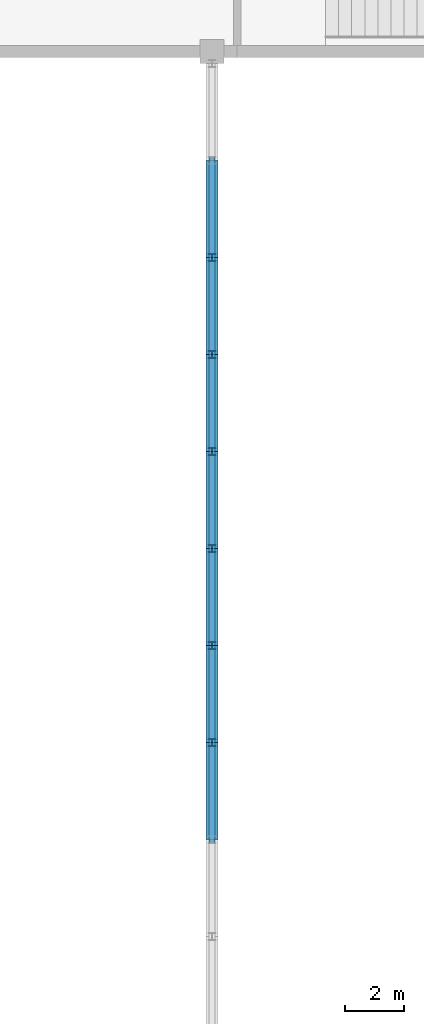
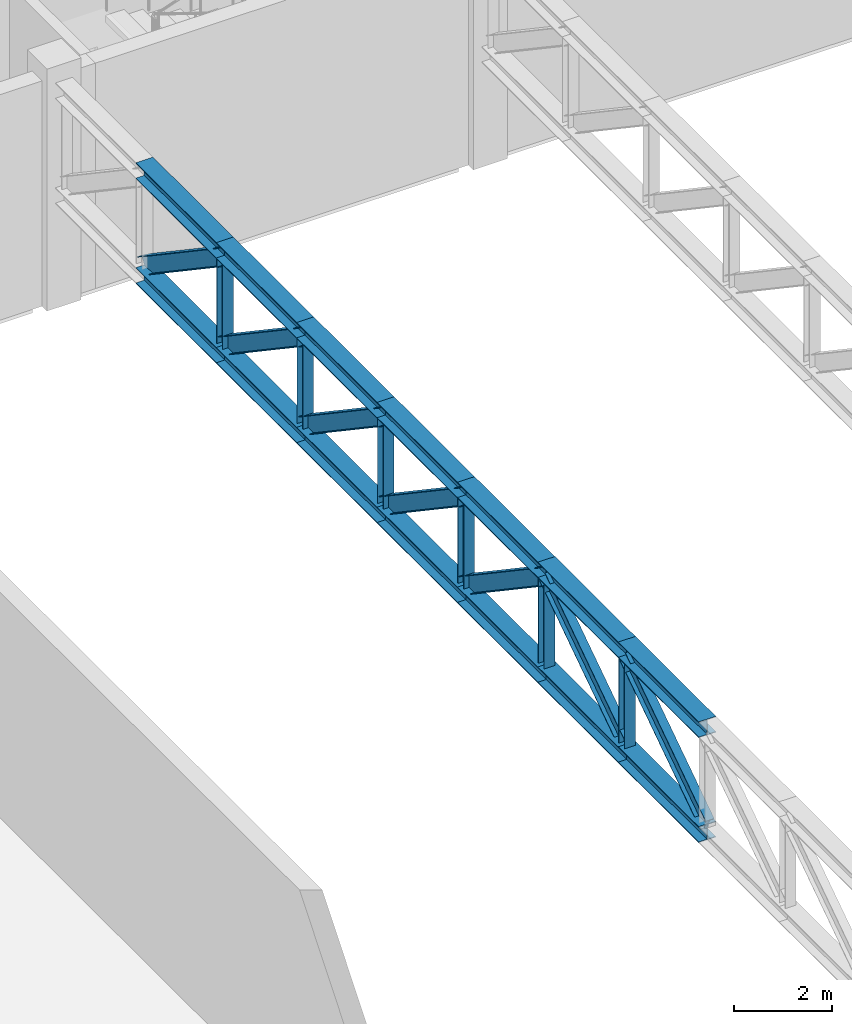
# One storey, part 18 of 51: 27 members.
"""IFC4 building model written with IfcOpenShell, lengths in metres."""

from ifc_helpers import new_model, si_unit, direction, frame, origin, origin_2d, place, context, subcontext, project, spatial, i_section, extrude, material, material_profile, profile_set, type_object, element, save


model = new_model("IFC4")

# Units and contexts
model_context = context("Model", 3, precision=1e-05, world=origin(), true_north=direction((0.0, 1.0)))
body_context = subcontext(model_context, "Body", "Model", "MODEL_VIEW")
ifc_project = project(units=[si_unit("LENGTHUNIT", "METRE"), si_unit("AREAUNIT", "SQUARE_METRE"), si_unit("VOLUMEUNIT", "CUBIC_METRE"), si_unit("PLANEANGLEUNIT", "RADIAN"), si_unit("MASSUNIT", "GRAM", prefix="KILO")], contexts=[model_context])

# Site, building, storey
site_placement = place(None, origin())
site = spatial("IfcSite", under=ifc_project, at=site_placement, CompositionType="ELEMENT")
building_placement = place(site_placement, origin())
building = spatial("IfcBuilding", under=site, at=building_placement, Name="Jabali Bay Hotel Tower and Convention Centre", CompositionType="ELEMENT")
storey_placement = place(building_placement, frame((0.0, 0.0, 9.0)))
storey = spatial("IfcBuildingStorey", under=building, at=storey_placement, Name="L01", CompositionType="ELEMENT", Elevation=9.0)

# Members
ifc_material = material(Name="Steel Q355B", Category="steel")
ifc_material_profile_1 = material_profile(ifc_material, i_section(OverallWidth=0.39990234375, OverallDepth=0.39990234375, WebThickness=0.012939453125, FlangeThickness=0.02099609375, at=origin_2d()), Name="HW400x400x13x21")
ifc_profile_set_1 = profile_set([ifc_material_profile_1], Name="Steel Q355B")
member_type_1 = type_object("IfcMemberType", Name="CC Floor Truss Chord HW400x400x13x21", PredefinedType="CHORD", material=ifc_profile_set_1)
for number, where, z_axis, x_axis, name in (
    (1, (180.699951171875, 73.466552734375, 5.389892578125), (0.0, 1.0, 0.0), (-1.0, 0.0, 0.0), "CC floor truss F1 top chord 5"),
    (2, (180.699951171875, 73.466552734375, 2.7900390625), (0.0, 1.0, 0.0), (-1.0, 0.0, 0.0), "CC floor truss F1 bottom chord 5"),
):
    element("IfcMember", number, at=place(storey_placement, frame(where, z_axis=z_axis, x_axis=x_axis)), inside=storey, type_object=member_type_1, Name=name, PredefinedType="CHORD", context=body_context, shape_type="SweptSolid", body=[
        extrude(i_section(OverallWidth=0.39990234375, OverallDepth=0.39990234375, WebThickness=0.012939453125, FlangeThickness=0.02099609375, at=origin_2d()), origin(), (0.0, 0.0, 1.0), 3.266845703125),
    ])
for number, where, z_axis, x_axis, name in (
    (3, (180.699951171875, 76.7333984375, 5.389892578125), (0.0, 1.0, 0.0), (-1.0, 0.0, 0.0), "CC floor truss F1 top chord 6"),
    (4, (180.699951171875, 76.7333984375, 2.7900390625), (0.0, 1.0, 0.0), (-1.0, 0.0, 0.0), "CC floor truss F1 bottom chord 6"),
    (5, (180.699951171875, 80.0, 5.389892578125), (0.0, 1.0, 0.0), (-1.0, 0.0, 0.0), "CC floor truss F1 top chord 7"),
    (6, (180.699951171875, 80.0, 2.7900390625), (0.0, 1.0, 0.0), (-1.0, 0.0, 0.0), "CC floor truss F1 bottom chord 7"),
):
    element("IfcMember", number, at=place(storey_placement, frame(where, z_axis=z_axis, x_axis=x_axis)), inside=storey, type_object=member_type_1, Name=name, PredefinedType="CHORD", context=body_context, shape_type="SweptSolid", body=[
        extrude(i_section(OverallWidth=0.39990234375, OverallDepth=0.39990234375, WebThickness=0.012939453125, FlangeThickness=0.02099609375, at=origin_2d()), origin(), (0.0, 0.0, 1.0), 3.2666015625),
    ])
for number, where, z_axis, x_axis, name in (
    (7, (180.699951171875, 83.2666015625, 5.389892578125), (0.0, 1.0, 0.0), (-1.0, 0.0, 0.0), "CC floor truss F1 top chord 8"),
    (8, (180.699951171875, 83.2666015625, 2.7900390625), (0.0, 1.0, 0.0), (-1.0, 0.0, 0.0), "CC floor truss F1 bottom chord 8"),
):
    element("IfcMember", number, at=place(storey_placement, frame(where, z_axis=z_axis, x_axis=x_axis)), inside=storey, type_object=member_type_1, Name=name, PredefinedType="CHORD", context=body_context, shape_type="SweptSolid", body=[
        extrude(i_section(OverallWidth=0.39990234375, OverallDepth=0.39990234375, WebThickness=0.012939453125, FlangeThickness=0.02099609375, at=origin_2d()), origin(), (0.0, 0.0, 1.0), 3.266845703125),
    ])
for number, where, z_axis, x_axis, name in (
    (9, (180.699951171875, 86.533447265625, 5.389892578125), (0.0, 1.0, 0.0), (-1.0, 0.0, 0.0), "CC floor truss F1 top chord 9"),
    (10, (180.699951171875, 86.533447265625, 2.7900390625), (0.0, 1.0, 0.0), (-1.0, 0.0, 0.0), "CC floor truss F1 bottom chord 9"),
    (11, (180.699951171875, 89.800048828125, 5.389892578125), (0.0, 1.0, 0.0), (-1.0, 0.0, 0.0), "CC floor truss F1 top chord 10"),
    (12, (180.699951171875, 89.800048828125, 2.7900390625), (0.0, 1.0, 0.0), (-1.0, 0.0, 0.0), "CC floor truss F1 bottom chord 10"),
    (13, (180.699951171875, 93.066650390625, 5.389892578125), (0.0, 1.0, 0.0), (-1.0, 0.0, 0.0), "CC floor truss F1 top chord 11"),
    (14, (180.699951171875, 93.066650390625, 2.7900390625), (0.0, 1.0, 0.0), (-1.0, 0.0, 0.0), "CC floor truss F1 bottom chord 11"),
):
    element("IfcMember", number, at=place(storey_placement, frame(where, z_axis=z_axis, x_axis=x_axis)), inside=storey, type_object=member_type_1, Name=name, PredefinedType="CHORD", context=body_context, shape_type="SweptSolid", body=[
        extrude(i_section(OverallWidth=0.39990234375, OverallDepth=0.39990234375, WebThickness=0.012939453125, FlangeThickness=0.02099609375, at=origin_2d()), origin(), (0.0, 0.0, 1.0), 3.2666015625),
    ])
ifc_material_profile_2 = material_profile(ifc_material, i_section(OverallWidth=0.199951171875, OverallDepth=0.39990234375, WebThickness=0.008056640625, FlangeThickness=0.012939453125, at=origin_2d()), Name="HN400x200x8x13")
ifc_profile_set_2 = profile_set([ifc_material_profile_2], Name="Steel Q355B")
member_type_2 = type_object("IfcMemberType", Name="CC Floor Truss Diagonal HN400x200x8x13", PredefinedType="BRACE", material=ifc_profile_set_2)
member_1_placement = place(storey_placement, frame((180.699951171875, 73.466552734375, 2.989990234375), z_axis=(0.0, 0.829456854988, 0.558570788453), x_axis=(-1.0, 0.0, 0.0)))
element("IfcMember", 15, at=member_1_placement, inside=storey, type_object=member_type_2, Name="CC floor truss F1 diagonal 5", PredefinedType="BRACE", context=body_context, shape_type="SweptSolid", body=[
    extrude(i_section(OverallWidth=0.199951171875, OverallDepth=0.39990234375, WebThickness=0.008056640625, FlangeThickness=0.012939453125, at=origin_2d()), origin(), (0.0, 0.0, 1.0), 3.9384765625),
])
for number, where, z_axis, x_axis, name in (
    (16, (180.699951171875, 76.7333984375, 2.989990234375), (0.0, 0.829437513265, 0.55859950912), (-1.0, 0.0, 0.0), "CC floor truss F1 diagonal 6"),
    (17, (180.699951171875, 83.2666015625, 2.989990234375), (0.0, -0.829437513265, 0.55859950912), (1.0, 0.0, 0.0), "CC floor truss F1 diagonal 7"),
):
    element("IfcMember", number, at=place(storey_placement, frame(where, z_axis=z_axis, x_axis=x_axis)), inside=storey, type_object=member_type_2, Name=name, PredefinedType="BRACE", context=body_context, shape_type="SweptSolid", body=[
        extrude(i_section(OverallWidth=0.199951171875, OverallDepth=0.39990234375, WebThickness=0.008056640625, FlangeThickness=0.012939453125, at=origin_2d()), origin(), (0.0, 0.0, 1.0), 3.938232421875),
    ])
member_2_placement = place(storey_placement, frame((180.699951171875, 86.533447265625, 2.989990234375), z_axis=(0.0, -0.829456854988, 0.558570788453), x_axis=(1.0, 0.0, 0.0)))
element("IfcMember", 18, at=member_2_placement, inside=storey, type_object=member_type_2, Name="CC floor truss F1 diagonal 8", PredefinedType="BRACE", context=body_context, shape_type="SweptSolid", body=[
    extrude(i_section(OverallWidth=0.199951171875, OverallDepth=0.39990234375, WebThickness=0.008056640625, FlangeThickness=0.012939453125, at=origin_2d()), origin(), (0.0, 0.0, 1.0), 3.9384765625),
])
for number, where, z_axis, x_axis, name in (
    (19, (180.699951171875, 89.800048828125, 2.989990234375), (0.0, -0.829437513265, 0.55859950912), (1.0, 0.0, 0.0), "CC floor truss F1 diagonal 9"),
    (20, (180.699951171875, 93.066650390625, 2.989990234375), (0.0, -0.829437513265, 0.55859950912), (1.0, 0.0, 0.0), "CC floor truss F1 diagonal 10"),
    (21, (180.699951171875, 96.333251953125, 2.989990234375), (0.0, -0.829437513265, 0.55859950912), (1.0, 0.0, 0.0), "CC floor truss F1 diagonal 11"),
):
    element("IfcMember", number, at=place(storey_placement, frame(where, z_axis=z_axis, x_axis=x_axis)), inside=storey, type_object=member_type_2, Name=name, PredefinedType="BRACE", context=body_context, shape_type="SweptSolid", body=[
        extrude(i_section(OverallWidth=0.199951171875, OverallDepth=0.39990234375, WebThickness=0.008056640625, FlangeThickness=0.012939453125, at=origin_2d()), origin(), (0.0, 0.0, 1.0), 3.938232421875),
    ])
ifc_material_profile_3 = material_profile(ifc_material, i_section(OverallWidth=0.25, OverallDepth=0.25, WebThickness=0.009033203125, FlangeThickness=0.013916015625, at=origin_2d()), Name="HW250x250x9x14")
ifc_profile_set_3 = profile_set([ifc_material_profile_3], Name="Steel Q355B")
member_type_3 = type_object("IfcMemberType", Name="CC Floor Truss Post HW250x250x9x14", PredefinedType="POST", material=ifc_profile_set_3)
for number, where, z_axis, x_axis, name in (
    (22, (180.699951171875, 76.7333984375, 2.989990234375), (0.0, 0.0, 1.0), (1.0, 0.0, 0.0), "CC floor truss F1 post 6"),
    (23, (180.699951171875, 80.0, 2.989990234375), (0.0, 0.0, 1.0), (1.0, 0.0, 0.0), "CC floor truss F1 post 7"),
    (24, (180.699951171875, 83.2666015625, 2.989990234375), (0.0, 0.0, 1.0), (1.0, 0.0, 0.0), "CC floor truss F1 post 8"),
    (25, (180.699951171875, 86.533447265625, 2.989990234375), (0.0, 0.0, 1.0), (1.0, 0.0, 0.0), "CC floor truss F1 post 9"),
    (26, (180.699951171875, 89.800048828125, 2.989990234375), (0.0, 0.0, 1.0), (1.0, 0.0, 0.0), "CC floor truss F1 post 10"),
    (27, (180.699951171875, 93.066650390625, 2.989990234375), (0.0, 0.0, 1.0), (1.0, 0.0, 0.0), "CC floor truss F1 post 11"),
):
    element("IfcMember", number, at=place(storey_placement, frame(where, z_axis=z_axis, x_axis=x_axis)), inside=storey, type_object=member_type_3, Name=name, PredefinedType="POST", context=body_context, shape_type="SweptSolid", body=[
        extrude(i_section(OverallWidth=0.25, OverallDepth=0.25, WebThickness=0.009033203125, FlangeThickness=0.013916015625, at=origin_2d()), origin(), (0.0, 0.0, 1.0), 2.199951171875),
    ])

save(model, "model.ifc")
